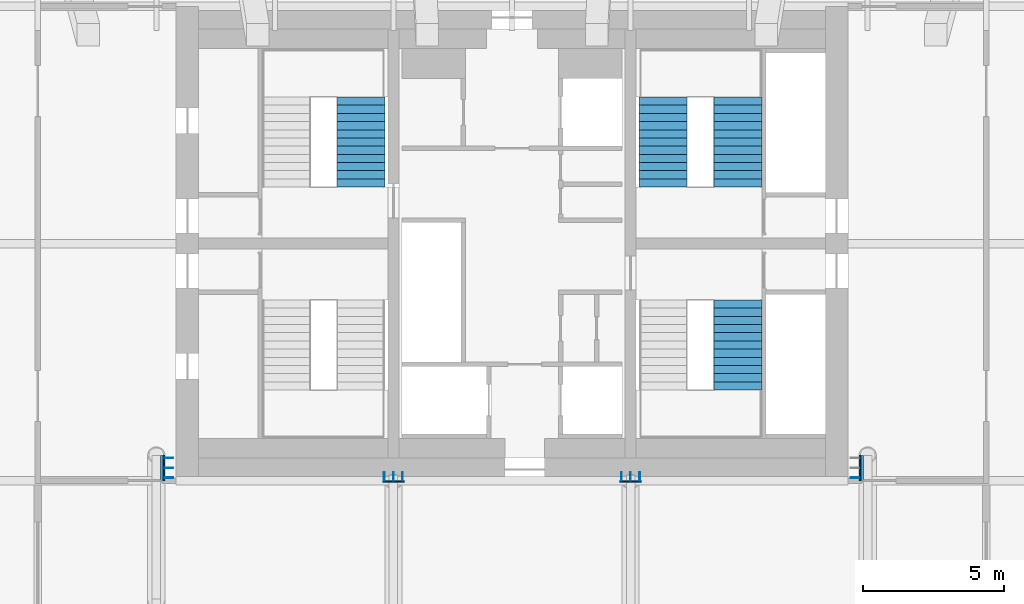
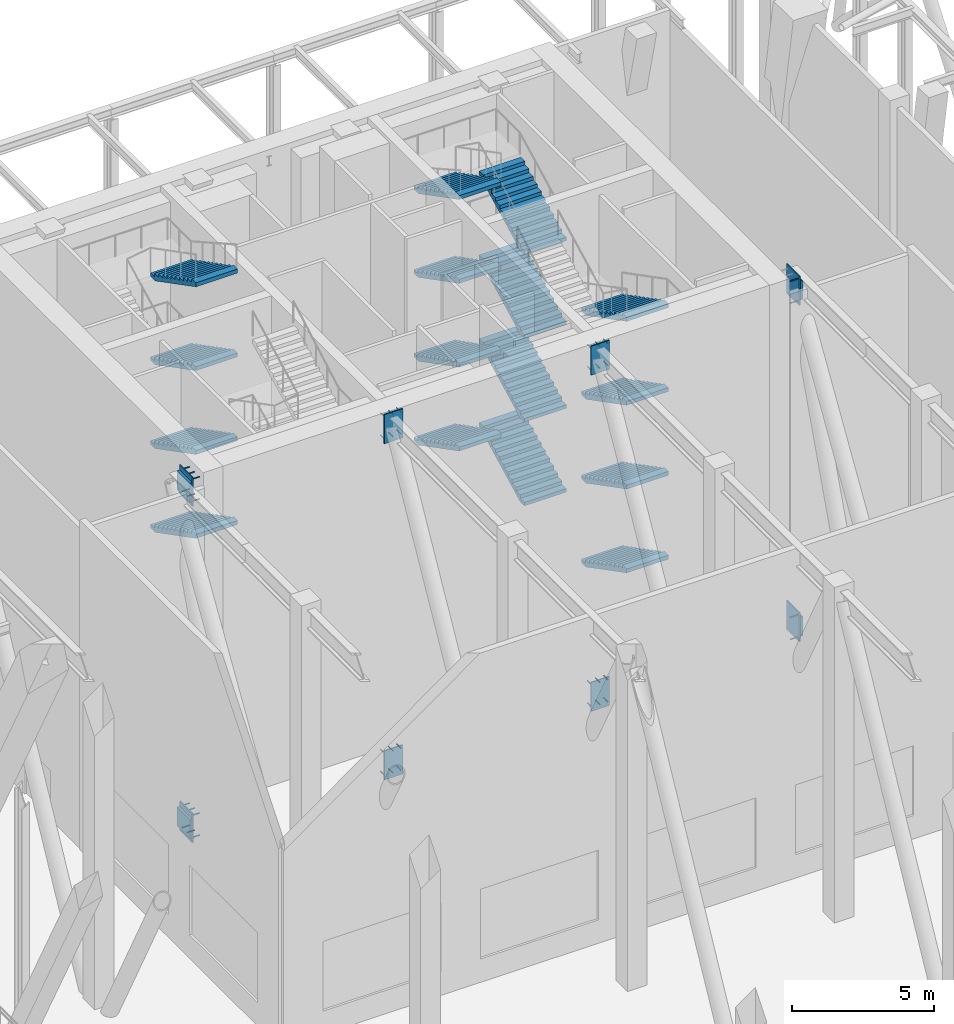
# One storey, part 13 of 20: 40 mechanical fasteners, 16 stair flights, 12 discrete accessories, 3 elements without a shape of their own.
"""IFC4 building model written with IfcOpenShell, lengths in metres."""

from ifc_helpers import new_model, si_unit, direction, frame, origin, origin_2d, place, context, subcontext, project, spatial, polyline, rectangle, outline, extrude, material, layer, layer_set, type_object, element, aggregate, save


model = new_model("IFC4")

# Units and contexts
model_context = context("Model", 3, precision=1e-05, world=origin(), true_north=direction((0.0, 1.0)))
body_context = subcontext(model_context, "Body", "Model", "MODEL_VIEW")
ifc_project = project(units=[si_unit("LENGTHUNIT", "METRE"), si_unit("AREAUNIT", "SQUARE_METRE"), si_unit("VOLUMEUNIT", "CUBIC_METRE"), si_unit("PLANEANGLEUNIT", "RADIAN"), si_unit("MASSUNIT", "GRAM", prefix="KILO")], contexts=[model_context])

# Site, building, storey
site_placement = place(None, origin())
site = spatial("IfcSite", under=ifc_project, at=site_placement, CompositionType="ELEMENT")
building_placement = place(site_placement, origin())
building = spatial("IfcBuilding", under=site, at=building_placement, Name="Marenta Gate Hotel Tower", CompositionType="ELEMENT")
storey_placement = place(building_placement, frame((0.0, 0.0, 252.5)))
storey = spatial("IfcBuildingStorey", under=building, at=storey_placement, Name="L60", CompositionType="ELEMENT", Elevation=252.5)

# Stair, stair flights
ifc_material_1 = material(Name="Concrete C40", Category="concrete")
stair_type = type_object("IfcStairType", Name="Core exit stair 1700 wide", PredefinedType="HALF_TURN_STAIR", material=ifc_material_1)
stair_1_placement = place(storey_placement, origin())
stair_1 = element("IfcStair", 1, at=stair_1_placement, inside=storey, type_object=stair_type, Name="Exit stair 2", PredefinedType="HALF_TURN_STAIR")
ifc_material_2 = material(Name="Concrete C40", Category="concrete")
stair_flight_type = type_object("IfcStairFlightType", Name="Core stair flight 1700 riser 150.0 going 290", PredefinedType="STRAIGHT", material=ifc_material_2)
stair_flight_1_placement = place(storey_placement, frame((-5.35009765625, 13.590087890625, 1.800048828125), z_axis=(0.0, 0.0, 1.0), x_axis=(0.0, -1.0, 0.0)))
stair_flight_1 = element("IfcStairFlight", 2, at=stair_flight_1_placement, type_object=stair_flight_type, Name="ST2 flight 2", NumberOfRisers=12, NumberOfTreads=11, PredefinedType="STRAIGHT", RiserHeight=0.15, TreadLength=0.29, context=body_context, shape_type="SweptSolid", body=[
    extrude(outline(polyline([(0.0, 0.0), (0.0, 0.14990234375), (0.2900390625, 0.14990234375), (0.2900390625, 0.300048828125), (0.580078125, 0.300048828125), (0.580078125, 0.449951171875), (0.8701171875, 0.449951171875), (0.8701171875, 0.60009765625), (1.159912109375, 0.60009765625), (1.159912109375, 0.75), (1.449951171875, 0.75), (1.449951171875, 0.89990234375), (1.739990234375, 0.89990234375), (1.739990234375, 1.050048828125), (2.030029296875, 1.050048828125), (2.030029296875, 1.199951171875), (2.320068359375, 1.199951171875), (2.320068359375, 1.35009765625), (2.610107421875, 1.35009765625), (2.610107421875, 1.5), (2.89990234375, 1.5), (2.89990234375, 1.64990234375), (3.18994140625, 1.64990234375), (3.18994140625, 1.800048828125), (3.18994140625, 1.481201171875), (0.326171875, 0.0), (0.0, 0.0)])), frame((0.0, 0.85009765625, 0.0), z_axis=(0.0, -1.0, 0.0), x_axis=(1.0, 0.0, 0.0)), (0.0, 0.0, 1.0), 1.699951171875),
])
stair_flight_2_placement = place(storey_placement, frame((-5.35009765625, 13.590087890625, 5.39990234375), z_axis=(0.0, 0.0, 1.0), x_axis=(0.0, -1.0, 0.0)))
stair_flight_2 = element("IfcStairFlight", 3, at=stair_flight_2_placement, type_object=stair_flight_type, Name="ST2 flight 4", NumberOfRisers=12, NumberOfTreads=11, PredefinedType="STRAIGHT", RiserHeight=0.15, TreadLength=0.29, context=body_context, shape_type="SweptSolid", body=[
    extrude(outline(polyline([(0.0, 0.0), (0.0, 0.14990234375), (0.2900390625, 0.14990234375), (0.2900390625, 0.300048828125), (0.580078125, 0.300048828125), (0.580078125, 0.449951171875), (0.8701171875, 0.449951171875), (0.8701171875, 0.60009765625), (1.159912109375, 0.60009765625), (1.159912109375, 0.75), (1.449951171875, 0.75), (1.449951171875, 0.89990234375), (1.739990234375, 0.89990234375), (1.739990234375, 1.050048828125), (2.030029296875, 1.050048828125), (2.030029296875, 1.199951171875), (2.320068359375, 1.199951171875), (2.320068359375, 1.35009765625), (2.610107421875, 1.35009765625), (2.610107421875, 1.5), (2.89990234375, 1.5), (2.89990234375, 1.64990234375), (3.18994140625, 1.64990234375), (3.18994140625, 1.800048828125), (3.18994140625, 1.481201171875), (0.326171875, 0.0), (0.0, 0.0)])), frame((0.0, 0.85009765625, 0.0), z_axis=(0.0, -1.0, 0.0), x_axis=(1.0, 0.0, 0.0)), (0.0, 0.0, 1.0), 1.699951171875),
])
stair_flight_3_placement = place(storey_placement, frame((-5.35009765625, 13.590087890625, 9.0), z_axis=(0.0, 0.0, 1.0), x_axis=(0.0, -1.0, 0.0)))
stair_flight_3 = element("IfcStairFlight", 4, at=stair_flight_3_placement, type_object=stair_flight_type, Name="ST2 flight 6", NumberOfRisers=12, NumberOfTreads=11, PredefinedType="STRAIGHT", RiserHeight=0.15, TreadLength=0.29, context=body_context, shape_type="SweptSolid", body=[
    extrude(outline(polyline([(0.0, 0.0), (0.0, 0.14990234375), (0.2900390625, 0.14990234375), (0.2900390625, 0.300048828125), (0.580078125, 0.300048828125), (0.580078125, 0.449951171875), (0.8701171875, 0.449951171875), (0.8701171875, 0.60009765625), (1.159912109375, 0.60009765625), (1.159912109375, 0.75), (1.449951171875, 0.75), (1.449951171875, 0.89990234375), (1.739990234375, 0.89990234375), (1.739990234375, 1.050048828125), (2.030029296875, 1.050048828125), (2.030029296875, 1.199951171875), (2.320068359375, 1.199951171875), (2.320068359375, 1.35009765625), (2.610107421875, 1.35009765625), (2.610107421875, 1.5), (2.89990234375, 1.5), (2.89990234375, 1.64990234375), (3.18994140625, 1.64990234375), (3.18994140625, 1.800048828125), (3.18994140625, 1.481201171875), (0.326171875, 0.0), (0.0, 0.0)])), frame((0.0, 0.85009765625, 0.0), z_axis=(0.0, -1.0, 0.0), x_axis=(1.0, 0.0, 0.0)), (0.0, 0.0, 1.0), 1.699951171875),
])
stair_flight_4_placement = place(storey_placement, frame((-5.35009765625, 13.590087890625, 12.60009765625), z_axis=(0.0, 0.0, 1.0), x_axis=(0.0, -1.0, 0.0)))
stair_flight_4 = element("IfcStairFlight", 5, at=stair_flight_4_placement, type_object=stair_flight_type, Name="ST2 flight 8", NumberOfRisers=12, NumberOfTreads=11, PredefinedType="STRAIGHT", RiserHeight=0.15, TreadLength=0.29, context=body_context, shape_type="SweptSolid", body=[
    extrude(outline(polyline([(0.0, 0.0), (0.0, 0.14990234375), (0.2900390625, 0.14990234375), (0.2900390625, 0.300048828125), (0.580078125, 0.300048828125), (0.580078125, 0.449951171875), (0.8701171875, 0.449951171875), (0.8701171875, 0.60009765625), (1.159912109375, 0.60009765625), (1.159912109375, 0.75), (1.449951171875, 0.75), (1.449951171875, 0.89990234375), (1.739990234375, 0.89990234375), (1.739990234375, 1.050048828125), (2.030029296875, 1.050048828125), (2.030029296875, 1.199951171875), (2.320068359375, 1.199951171875), (2.320068359375, 1.35009765625), (2.610107421875, 1.35009765625), (2.610107421875, 1.5), (2.89990234375, 1.5), (2.89990234375, 1.64990234375), (3.18994140625, 1.64990234375), (3.18994140625, 1.800048828125), (3.18994140625, 1.481201171875), (0.326171875, 0.0), (0.0, 0.0)])), frame((0.0, 0.85009765625, 0.0), z_axis=(0.0, -1.0, 0.0), x_axis=(1.0, 0.0, 0.0)), (0.0, 0.0, 1.0), 1.699951171875),
])
aggregate(stair_1, [stair_flight_1, stair_flight_2, stair_flight_3, stair_flight_4])

stair_2_placement = place(storey_placement, origin())
stair_2 = element("IfcStair", 6, at=stair_2_placement, inside=storey, type_object=stair_type, Name="Exit stair 3", PredefinedType="HALF_TURN_STAIR")
stair_flight_5_placement = place(storey_placement, frame((8.0, 6.39990234375, 0.0), z_axis=(0.0, 0.0, 1.0), x_axis=(0.0, -1.0, 0.0)))
stair_flight_5 = element("IfcStairFlight", 7, at=stair_flight_5_placement, type_object=stair_flight_type, Name="ST3 flight 1", NumberOfRisers=12, NumberOfTreads=11, PredefinedType="STRAIGHT", RiserHeight=0.15, TreadLength=0.29, context=body_context, shape_type="SweptSolid", body=[
    extrude(outline(polyline([(0.0, 0.0), (0.0, 0.14990234375), (0.2900390625, 0.14990234375), (0.2900390625, 0.300048828125), (0.580078125, 0.300048828125), (0.580078125, 0.449951171875), (0.8701171875, 0.449951171875), (0.8701171875, 0.60009765625), (1.159912109375, 0.60009765625), (1.159912109375, 0.75), (1.449951171875, 0.75), (1.449951171875, 0.89990234375), (1.739990234375, 0.89990234375), (1.739990234375, 1.050048828125), (2.030029296875, 1.050048828125), (2.030029296875, 1.199951171875), (2.320068359375, 1.199951171875), (2.320068359375, 1.35009765625), (2.610107421875, 1.35009765625), (2.610107421875, 1.5), (2.89990234375, 1.5), (2.89990234375, 1.64990234375), (3.18994140625, 1.64990234375), (3.18994140625, 1.800048828125), (3.18994140625, 1.481201171875), (0.326171875, 0.0), (0.0, 0.0)])), frame((0.0, 0.85009765625, 0.0), z_axis=(0.0, -1.0, 0.0), x_axis=(1.0, 0.0, 0.0)), (0.0, 0.0, 1.0), 1.699951171875),
])
stair_flight_6_placement = place(storey_placement, frame((8.0, 6.39990234375, 3.60009765625), z_axis=(0.0, 0.0, 1.0), x_axis=(0.0, -1.0, 0.0)))
stair_flight_6 = element("IfcStairFlight", 8, at=stair_flight_6_placement, type_object=stair_flight_type, Name="ST3 flight 3", NumberOfRisers=12, NumberOfTreads=11, PredefinedType="STRAIGHT", RiserHeight=0.15, TreadLength=0.29, context=body_context, shape_type="SweptSolid", body=[
    extrude(outline(polyline([(0.0, 0.0), (0.0, 0.14990234375), (0.2900390625, 0.14990234375), (0.2900390625, 0.300048828125), (0.580078125, 0.300048828125), (0.580078125, 0.449951171875), (0.8701171875, 0.449951171875), (0.8701171875, 0.60009765625), (1.159912109375, 0.60009765625), (1.159912109375, 0.75), (1.449951171875, 0.75), (1.449951171875, 0.89990234375), (1.739990234375, 0.89990234375), (1.739990234375, 1.050048828125), (2.030029296875, 1.050048828125), (2.030029296875, 1.199951171875), (2.320068359375, 1.199951171875), (2.320068359375, 1.35009765625), (2.610107421875, 1.35009765625), (2.610107421875, 1.5), (2.89990234375, 1.5), (2.89990234375, 1.64990234375), (3.18994140625, 1.64990234375), (3.18994140625, 1.800048828125), (3.18994140625, 1.481201171875), (0.326171875, 0.0), (0.0, 0.0)])), frame((0.0, 0.85009765625, 0.0), z_axis=(0.0, -1.0, 0.0), x_axis=(1.0, 0.0, 0.0)), (0.0, 0.0, 1.0), 1.699951171875),
])
stair_flight_7_placement = place(storey_placement, frame((8.0, 6.39990234375, 7.199951171875), z_axis=(0.0, 0.0, 1.0), x_axis=(0.0, -1.0, 0.0)))
stair_flight_7 = element("IfcStairFlight", 9, at=stair_flight_7_placement, type_object=stair_flight_type, Name="ST3 flight 5", NumberOfRisers=12, NumberOfTreads=11, PredefinedType="STRAIGHT", RiserHeight=0.15, TreadLength=0.29, context=body_context, shape_type="SweptSolid", body=[
    extrude(outline(polyline([(0.0, 0.0), (0.0, 0.14990234375), (0.2900390625, 0.14990234375), (0.2900390625, 0.300048828125), (0.580078125, 0.300048828125), (0.580078125, 0.449951171875), (0.8701171875, 0.449951171875), (0.8701171875, 0.60009765625), (1.159912109375, 0.60009765625), (1.159912109375, 0.75), (1.449951171875, 0.75), (1.449951171875, 0.89990234375), (1.739990234375, 0.89990234375), (1.739990234375, 1.050048828125), (2.030029296875, 1.050048828125), (2.030029296875, 1.199951171875), (2.320068359375, 1.199951171875), (2.320068359375, 1.35009765625), (2.610107421875, 1.35009765625), (2.610107421875, 1.5), (2.89990234375, 1.5), (2.89990234375, 1.64990234375), (3.18994140625, 1.64990234375), (3.18994140625, 1.800048828125), (3.18994140625, 1.481201171875), (0.326171875, 0.0), (0.0, 0.0)])), frame((0.0, 0.85009765625, 0.0), z_axis=(0.0, -1.0, 0.0), x_axis=(1.0, 0.0, 0.0)), (0.0, 0.0, 1.0), 1.699951171875),
])
stair_flight_8_placement = place(storey_placement, frame((8.0, 6.39990234375, 10.800048828125), z_axis=(0.0, 0.0, 1.0), x_axis=(0.0, -1.0, 0.0)))
stair_flight_8 = element("IfcStairFlight", 10, at=stair_flight_8_placement, type_object=stair_flight_type, Name="ST3 flight 7", NumberOfRisers=12, NumberOfTreads=11, PredefinedType="STRAIGHT", RiserHeight=0.15, TreadLength=0.29, context=body_context, shape_type="SweptSolid", body=[
    extrude(outline(polyline([(0.0, 0.0), (0.0, 0.14990234375), (0.2900390625, 0.14990234375), (0.2900390625, 0.300048828125), (0.580078125, 0.300048828125), (0.580078125, 0.449951171875), (0.8701171875, 0.449951171875), (0.8701171875, 0.60009765625), (1.159912109375, 0.60009765625), (1.159912109375, 0.75), (1.449951171875, 0.75), (1.449951171875, 0.89990234375), (1.739990234375, 0.89990234375), (1.739990234375, 1.050048828125), (2.030029296875, 1.050048828125), (2.030029296875, 1.199951171875), (2.320068359375, 1.199951171875), (2.320068359375, 1.35009765625), (2.610107421875, 1.35009765625), (2.610107421875, 1.5), (2.89990234375, 1.5), (2.89990234375, 1.64990234375), (3.18994140625, 1.64990234375), (3.18994140625, 1.800048828125), (3.18994140625, 1.481201171875), (0.326171875, 0.0), (0.0, 0.0)])), frame((0.0, 0.85009765625, 0.0), z_axis=(0.0, -1.0, 0.0), x_axis=(1.0, 0.0, 0.0)), (0.0, 0.0, 1.0), 1.699951171875),
])
aggregate(stair_2, [stair_flight_5, stair_flight_6, stair_flight_7, stair_flight_8])

stair_3_placement = place(storey_placement, origin())
stair_3 = element("IfcStair", 11, at=stair_3_placement, inside=storey, type_object=stair_type, Name="Exit stair 4", PredefinedType="HALF_TURN_STAIR")
stair_flight_9_placement = place(storey_placement, frame((8.0, 10.39990234375, 0.0), z_axis=(0.0, 0.0, 1.0), x_axis=(0.0, 1.0, 0.0)))
stair_flight_9 = element("IfcStairFlight", 12, at=stair_flight_9_placement, type_object=stair_flight_type, Name="ST4 flight 1", NumberOfRisers=12, NumberOfTreads=11, PredefinedType="STRAIGHT", RiserHeight=0.15, TreadLength=0.29, context=body_context, shape_type="SweptSolid", body=[
    extrude(outline(polyline([(0.0, 0.0), (0.0, 0.14990234375), (0.2900390625, 0.14990234375), (0.2900390625, 0.300048828125), (0.580078125, 0.300048828125), (0.580078125, 0.449951171875), (0.8701171875, 0.449951171875), (0.8701171875, 0.60009765625), (1.159912109375, 0.60009765625), (1.159912109375, 0.75), (1.449951171875, 0.75), (1.449951171875, 0.89990234375), (1.739990234375, 0.89990234375), (1.739990234375, 1.050048828125), (2.030029296875, 1.050048828125), (2.030029296875, 1.199951171875), (2.320068359375, 1.199951171875), (2.320068359375, 1.35009765625), (2.610107421875, 1.35009765625), (2.610107421875, 1.5), (2.89990234375, 1.5), (2.89990234375, 1.64990234375), (3.18994140625, 1.64990234375), (3.18994140625, 1.800048828125), (3.18994140625, 1.481201171875), (0.326171875, 0.0), (0.0, 0.0)])), frame((0.0, 0.85009765625, 0.0), z_axis=(0.0, -1.0, 0.0), x_axis=(1.0, 0.0, 0.0)), (0.0, 0.0, 1.0), 1.699951171875),
])
stair_flight_10_placement = place(storey_placement, frame((5.35009765625, 13.590087890625, 1.800048828125), z_axis=(0.0, 0.0, 1.0), x_axis=(0.0, -1.0, 0.0)))
stair_flight_10 = element("IfcStairFlight", 13, at=stair_flight_10_placement, type_object=stair_flight_type, Name="ST4 flight 2", NumberOfRisers=12, NumberOfTreads=11, PredefinedType="STRAIGHT", RiserHeight=0.15, TreadLength=0.29, context=body_context, shape_type="SweptSolid", body=[
    extrude(outline(polyline([(0.0, 0.0), (0.0, 0.14990234375), (0.2900390625, 0.14990234375), (0.2900390625, 0.300048828125), (0.580078125, 0.300048828125), (0.580078125, 0.449951171875), (0.8701171875, 0.449951171875), (0.8701171875, 0.60009765625), (1.159912109375, 0.60009765625), (1.159912109375, 0.75), (1.449951171875, 0.75), (1.449951171875, 0.89990234375), (1.739990234375, 0.89990234375), (1.739990234375, 1.050048828125), (2.030029296875, 1.050048828125), (2.030029296875, 1.199951171875), (2.320068359375, 1.199951171875), (2.320068359375, 1.35009765625), (2.610107421875, 1.35009765625), (2.610107421875, 1.5), (2.89990234375, 1.5), (2.89990234375, 1.64990234375), (3.18994140625, 1.64990234375), (3.18994140625, 1.800048828125), (3.18994140625, 1.481201171875), (0.326171875, 0.0), (0.0, 0.0)])), frame((0.0, 0.85009765625, 0.0), z_axis=(0.0, -1.0, 0.0), x_axis=(1.0, 0.0, 0.0)), (0.0, 0.0, 1.0), 1.699951171875),
])
stair_flight_11_placement = place(storey_placement, frame((8.0, 10.39990234375, 3.60009765625), z_axis=(0.0, 0.0, 1.0), x_axis=(0.0, 1.0, 0.0)))
stair_flight_11 = element("IfcStairFlight", 14, at=stair_flight_11_placement, type_object=stair_flight_type, Name="ST4 flight 3", NumberOfRisers=12, NumberOfTreads=11, PredefinedType="STRAIGHT", RiserHeight=0.15, TreadLength=0.29, context=body_context, shape_type="SweptSolid", body=[
    extrude(outline(polyline([(0.0, 0.0), (0.0, 0.14990234375), (0.2900390625, 0.14990234375), (0.2900390625, 0.300048828125), (0.580078125, 0.300048828125), (0.580078125, 0.449951171875), (0.8701171875, 0.449951171875), (0.8701171875, 0.60009765625), (1.159912109375, 0.60009765625), (1.159912109375, 0.75), (1.449951171875, 0.75), (1.449951171875, 0.89990234375), (1.739990234375, 0.89990234375), (1.739990234375, 1.050048828125), (2.030029296875, 1.050048828125), (2.030029296875, 1.199951171875), (2.320068359375, 1.199951171875), (2.320068359375, 1.35009765625), (2.610107421875, 1.35009765625), (2.610107421875, 1.5), (2.89990234375, 1.5), (2.89990234375, 1.64990234375), (3.18994140625, 1.64990234375), (3.18994140625, 1.800048828125), (3.18994140625, 1.481201171875), (0.326171875, 0.0), (0.0, 0.0)])), frame((0.0, 0.85009765625, 0.0), z_axis=(0.0, -1.0, 0.0), x_axis=(1.0, 0.0, 0.0)), (0.0, 0.0, 1.0), 1.699951171875),
])
stair_flight_12_placement = place(storey_placement, frame((5.35009765625, 13.590087890625, 5.39990234375), z_axis=(0.0, 0.0, 1.0), x_axis=(0.0, -1.0, 0.0)))
stair_flight_12 = element("IfcStairFlight", 15, at=stair_flight_12_placement, type_object=stair_flight_type, Name="ST4 flight 4", NumberOfRisers=12, NumberOfTreads=11, PredefinedType="STRAIGHT", RiserHeight=0.15, TreadLength=0.29, context=body_context, shape_type="SweptSolid", body=[
    extrude(outline(polyline([(0.0, 0.0), (0.0, 0.14990234375), (0.2900390625, 0.14990234375), (0.2900390625, 0.300048828125), (0.580078125, 0.300048828125), (0.580078125, 0.449951171875), (0.8701171875, 0.449951171875), (0.8701171875, 0.60009765625), (1.159912109375, 0.60009765625), (1.159912109375, 0.75), (1.449951171875, 0.75), (1.449951171875, 0.89990234375), (1.739990234375, 0.89990234375), (1.739990234375, 1.050048828125), (2.030029296875, 1.050048828125), (2.030029296875, 1.199951171875), (2.320068359375, 1.199951171875), (2.320068359375, 1.35009765625), (2.610107421875, 1.35009765625), (2.610107421875, 1.5), (2.89990234375, 1.5), (2.89990234375, 1.64990234375), (3.18994140625, 1.64990234375), (3.18994140625, 1.800048828125), (3.18994140625, 1.481201171875), (0.326171875, 0.0), (0.0, 0.0)])), frame((0.0, 0.85009765625, 0.0), z_axis=(0.0, -1.0, 0.0), x_axis=(1.0, 0.0, 0.0)), (0.0, 0.0, 1.0), 1.699951171875),
])
stair_flight_13_placement = place(storey_placement, frame((8.0, 10.39990234375, 7.199951171875), z_axis=(0.0, 0.0, 1.0), x_axis=(0.0, 1.0, 0.0)))
stair_flight_13 = element("IfcStairFlight", 16, at=stair_flight_13_placement, type_object=stair_flight_type, Name="ST4 flight 5", NumberOfRisers=12, NumberOfTreads=11, PredefinedType="STRAIGHT", RiserHeight=0.15, TreadLength=0.29, context=body_context, shape_type="SweptSolid", body=[
    extrude(outline(polyline([(0.0, 0.0), (0.0, 0.14990234375), (0.2900390625, 0.14990234375), (0.2900390625, 0.300048828125), (0.580078125, 0.300048828125), (0.580078125, 0.449951171875), (0.8701171875, 0.449951171875), (0.8701171875, 0.60009765625), (1.159912109375, 0.60009765625), (1.159912109375, 0.75), (1.449951171875, 0.75), (1.449951171875, 0.89990234375), (1.739990234375, 0.89990234375), (1.739990234375, 1.050048828125), (2.030029296875, 1.050048828125), (2.030029296875, 1.199951171875), (2.320068359375, 1.199951171875), (2.320068359375, 1.35009765625), (2.610107421875, 1.35009765625), (2.610107421875, 1.5), (2.89990234375, 1.5), (2.89990234375, 1.64990234375), (3.18994140625, 1.64990234375), (3.18994140625, 1.800048828125), (3.18994140625, 1.481201171875), (0.326171875, 0.0), (0.0, 0.0)])), frame((0.0, 0.85009765625, 0.0), z_axis=(0.0, -1.0, 0.0), x_axis=(1.0, 0.0, 0.0)), (0.0, 0.0, 1.0), 1.699951171875),
])
stair_flight_14_placement = place(storey_placement, frame((5.35009765625, 13.590087890625, 9.0), z_axis=(0.0, 0.0, 1.0), x_axis=(0.0, -1.0, 0.0)))
stair_flight_14 = element("IfcStairFlight", 17, at=stair_flight_14_placement, type_object=stair_flight_type, Name="ST4 flight 6", NumberOfRisers=12, NumberOfTreads=11, PredefinedType="STRAIGHT", RiserHeight=0.15, TreadLength=0.29, context=body_context, shape_type="SweptSolid", body=[
    extrude(outline(polyline([(0.0, 0.0), (0.0, 0.14990234375), (0.2900390625, 0.14990234375), (0.2900390625, 0.300048828125), (0.580078125, 0.300048828125), (0.580078125, 0.449951171875), (0.8701171875, 0.449951171875), (0.8701171875, 0.60009765625), (1.159912109375, 0.60009765625), (1.159912109375, 0.75), (1.449951171875, 0.75), (1.449951171875, 0.89990234375), (1.739990234375, 0.89990234375), (1.739990234375, 1.050048828125), (2.030029296875, 1.050048828125), (2.030029296875, 1.199951171875), (2.320068359375, 1.199951171875), (2.320068359375, 1.35009765625), (2.610107421875, 1.35009765625), (2.610107421875, 1.5), (2.89990234375, 1.5), (2.89990234375, 1.64990234375), (3.18994140625, 1.64990234375), (3.18994140625, 1.800048828125), (3.18994140625, 1.481201171875), (0.326171875, 0.0), (0.0, 0.0)])), frame((0.0, 0.85009765625, 0.0), z_axis=(0.0, -1.0, 0.0), x_axis=(1.0, 0.0, 0.0)), (0.0, 0.0, 1.0), 1.699951171875),
])
stair_flight_15_placement = place(storey_placement, frame((8.0, 10.39990234375, 10.800048828125), z_axis=(0.0, 0.0, 1.0), x_axis=(0.0, 1.0, 0.0)))
stair_flight_15 = element("IfcStairFlight", 18, at=stair_flight_15_placement, type_object=stair_flight_type, Name="ST4 flight 7", NumberOfRisers=12, NumberOfTreads=11, PredefinedType="STRAIGHT", RiserHeight=0.15, TreadLength=0.29, context=body_context, shape_type="SweptSolid", body=[
    extrude(outline(polyline([(0.0, 0.0), (0.0, 0.14990234375), (0.2900390625, 0.14990234375), (0.2900390625, 0.300048828125), (0.580078125, 0.300048828125), (0.580078125, 0.449951171875), (0.8701171875, 0.449951171875), (0.8701171875, 0.60009765625), (1.159912109375, 0.60009765625), (1.159912109375, 0.75), (1.449951171875, 0.75), (1.449951171875, 0.89990234375), (1.739990234375, 0.89990234375), (1.739990234375, 1.050048828125), (2.030029296875, 1.050048828125), (2.030029296875, 1.199951171875), (2.320068359375, 1.199951171875), (2.320068359375, 1.35009765625), (2.610107421875, 1.35009765625), (2.610107421875, 1.5), (2.89990234375, 1.5), (2.89990234375, 1.64990234375), (3.18994140625, 1.64990234375), (3.18994140625, 1.800048828125), (3.18994140625, 1.481201171875), (0.326171875, 0.0), (0.0, 0.0)])), frame((0.0, 0.85009765625, 0.0), z_axis=(0.0, -1.0, 0.0), x_axis=(1.0, 0.0, 0.0)), (0.0, 0.0, 1.0), 1.699951171875),
])
stair_flight_16_placement = place(storey_placement, frame((5.35009765625, 13.590087890625, 12.60009765625), z_axis=(0.0, 0.0, 1.0), x_axis=(0.0, -1.0, 0.0)))
stair_flight_16 = element("IfcStairFlight", 19, at=stair_flight_16_placement, type_object=stair_flight_type, Name="ST4 flight 8", NumberOfRisers=12, NumberOfTreads=11, PredefinedType="STRAIGHT", RiserHeight=0.15, TreadLength=0.29, context=body_context, shape_type="SweptSolid", body=[
    extrude(outline(polyline([(0.0, 0.0), (0.0, 0.14990234375), (0.2900390625, 0.14990234375), (0.2900390625, 0.300048828125), (0.580078125, 0.300048828125), (0.580078125, 0.449951171875), (0.8701171875, 0.449951171875), (0.8701171875, 0.60009765625), (1.159912109375, 0.60009765625), (1.159912109375, 0.75), (1.449951171875, 0.75), (1.449951171875, 0.89990234375), (1.739990234375, 0.89990234375), (1.739990234375, 1.050048828125), (2.030029296875, 1.050048828125), (2.030029296875, 1.199951171875), (2.320068359375, 1.199951171875), (2.320068359375, 1.35009765625), (2.610107421875, 1.35009765625), (2.610107421875, 1.5), (2.89990234375, 1.5), (2.89990234375, 1.64990234375), (3.18994140625, 1.64990234375), (3.18994140625, 1.800048828125), (3.18994140625, 1.481201171875), (0.326171875, 0.0), (0.0, 0.0)])), frame((0.0, 0.85009765625, 0.0), z_axis=(0.0, -1.0, 0.0), x_axis=(1.0, 0.0, 0.0)), (0.0, 0.0, 1.0), 1.699951171875),
])
aggregate(stair_3, [stair_flight_9, stair_flight_10, stair_flight_11, stair_flight_12, stair_flight_13, stair_flight_14, stair_flight_15, stair_flight_16])

# Discrete accessories
ifc_material_3 = material(Name="Steel S355", Category="steel")
ifc_layer_1 = layer(ifc_material_3, 0.050048828125)
ifc_layer_set_1 = layer_set([ifc_layer_1], Name="Steel S355")
discrete_accessory_type_1 = type_object("IfcDiscreteAccessoryType", Name="Embed plate 750 x 1250 x 50", PredefinedType="ANCHORPLATE", material=ifc_layer_set_1)
for number, where, z_axis, x_axis, name in (
    (20, (-4.199951171875, -0.02490234375, -1.33203125), (0.0, 0.0, 1.0), (1.0, 0.0, 0.0), "EP1 Embed plate CN-L60-6B"),
    (21, (-4.199951171875, -0.02490234375, 13.10791015625), (0.0, 0.0, 1.0), (1.0, 0.0, 0.0), "EP1 Embed plate CN-L60-6T"),
    (22, (4.199951171875, -0.02490234375, -1.33203125), (0.0, 0.0, 1.0), (1.0, 0.0, 0.0), "EP1 Embed plate CN-L60-7B"),
    (23, (4.199951171875, -0.02490234375, 13.10791015625), (0.0, 0.0, 1.0), (1.0, 0.0, 0.0), "EP1 Embed plate CN-L60-7T"),
):
    element("IfcDiscreteAccessory", number, at=place(storey_placement, frame(where, z_axis=z_axis, x_axis=x_axis)), inside=storey, type_object=discrete_accessory_type_1, Name=name, PredefinedType="ANCHORPLATE", context=body_context, shape_type="SweptSolid", body=[
        extrude(rectangle(XDim=0.75, YDim=0.050048828125, at=origin_2d()), origin(), (0.0, 0.0, 1.0), 1.25),
    ])
ifc_material_4 = material(Name="Steel S355", Category="steel")
ifc_layer_2 = layer(ifc_material_4, 0.050048828125)
ifc_layer_set_2 = layer_set([ifc_layer_2], Name="Steel S355")
discrete_accessory_type_2 = type_object("IfcDiscreteAccessoryType", Name="Embed plate 900 x 1250 x 50", PredefinedType="ANCHORPLATE", material=ifc_layer_set_2)
for number, where, z_axis, x_axis, name in (
    (24, (-12.324951171875, 0.449951171875, -1.33203125), (0.0, 0.0, 1.0), (1.0, 0.0, 0.0), "EP1 Embed plate CN-L60-5B"),
    (25, (-12.324951171875, 0.449951171875, 13.10791015625), (0.0, 0.0, 1.0), (1.0, 0.0, 0.0), "EP1 Embed plate CN-L60-5T"),
    (26, (12.324951171875, 0.449951171875, -1.33203125), (0.0, 0.0, 1.0), (1.0, 0.0, 0.0), "EP1 Embed plate CN-L60-8B"),
    (27, (12.324951171875, 0.449951171875, 13.10791015625), (0.0, 0.0, 1.0), (1.0, 0.0, 0.0), "EP1 Embed plate CN-L60-8T"),
):
    element("IfcDiscreteAccessory", number, at=place(storey_placement, frame(where, z_axis=z_axis, x_axis=x_axis)), inside=storey, type_object=discrete_accessory_type_2, Name=name, PredefinedType="ANCHORPLATE", context=body_context, shape_type="SweptSolid", body=[
        extrude(rectangle(XDim=0.050048828125, YDim=0.89990234375, at=origin_2d()), origin(), (0.0, 0.0, 1.0), 1.25),
    ])

# Mechanical fasteners
ifc_material_5 = material(Name="Steel S355", Category="steel")
mechanical_fastener_type = type_object("IfcMechanicalFastenerType", Name="Headed anchor stud 25 x 300", PredefinedType="ANCHORBOLT", material=ifc_material_5)
for number, where, z_axis, x_axis, name in (
    (28, (-12.14990234375, 0.10009765625, -1.1943359375), (0.0, 0.0, 1.0), (1.0, 0.0, 0.0), "AS1 Anchor stud CN-L60-5B-A1"),
    (29, (-12.14990234375, 0.449951171875, -1.1943359375), (0.0, 0.0, 1.0), (1.0, 0.0, 0.0), "AS1 Anchor stud CN-L60-5B-A2"),
    (30, (-12.14990234375, 0.800048828125, -1.1943359375), (0.0, 0.0, 1.0), (1.0, 0.0, 0.0), "AS1 Anchor stud CN-L60-5B-A3"),
    (31, (-12.14990234375, 0.10009765625, -0.244384765625), (0.0, 0.0, 1.0), (1.0, 0.0, 0.0), "AS1 Anchor stud CN-L60-5B-A4"),
    (32, (-12.14990234375, 0.449951171875, -0.244384765625), (0.0, 0.0, 1.0), (1.0, 0.0, 0.0), "AS1 Anchor stud CN-L60-5B-A5"),
    (33, (-12.14990234375, 0.800048828125, -0.244384765625), (0.0, 0.0, 1.0), (1.0, 0.0, 0.0), "AS1 Anchor stud CN-L60-5B-A6"),
    (34, (-12.14990234375, 0.10009765625, 13.24560546875), (0.0, 0.0, 1.0), (1.0, 0.0, 0.0), "AS1 Anchor stud CN-L60-5T-A1"),
    (35, (-12.14990234375, 0.449951171875, 13.24560546875), (0.0, 0.0, 1.0), (1.0, 0.0, 0.0), "AS1 Anchor stud CN-L60-5T-A2"),
    (36, (-12.14990234375, 0.800048828125, 13.24560546875), (0.0, 0.0, 1.0), (1.0, 0.0, 0.0), "AS1 Anchor stud CN-L60-5T-A3"),
    (37, (-12.14990234375, 0.10009765625, 14.195556640625), (0.0, 0.0, 1.0), (1.0, 0.0, 0.0), "AS1 Anchor stud CN-L60-5T-A4"),
    (38, (-12.14990234375, 0.449951171875, 14.195556640625), (0.0, 0.0, 1.0), (1.0, 0.0, 0.0), "AS1 Anchor stud CN-L60-5T-A5"),
    (39, (-12.14990234375, 0.800048828125, 14.195556640625), (0.0, 0.0, 1.0), (1.0, 0.0, 0.0), "AS1 Anchor stud CN-L60-5T-A6"),
):
    element("IfcMechanicalFastener", number, at=place(storey_placement, frame(where, z_axis=z_axis, x_axis=x_axis)), inside=storey, type_object=mechanical_fastener_type, Name=name, PredefinedType="ANCHORBOLT", context=body_context, shape_type="SweptSolid", body=[
        extrude(rectangle(XDim=0.300048828125, YDim=0.02490234375, at=origin_2d()), origin(), (0.0, 0.0, 1.0), 0.02490234375),
    ])
for number, where, z_axis, x_axis, name in (
    (40, (-4.52490234375, 0.14990234375, -1.1943359375), (0.0, 0.0, 1.0), (1.0, 0.0, 0.0), "AS1 Anchor stud CN-L60-6B-A1"),
    (41, (-4.199951171875, 0.14990234375, -1.1943359375), (0.0, 0.0, 1.0), (1.0, 0.0, 0.0), "AS1 Anchor stud CN-L60-6B-A2"),
    (42, (-3.875, 0.14990234375, -1.1943359375), (0.0, 0.0, 1.0), (1.0, 0.0, 0.0), "AS1 Anchor stud CN-L60-6B-A3"),
    (43, (-4.52490234375, 0.14990234375, -0.244384765625), (0.0, 0.0, 1.0), (1.0, 0.0, 0.0), "AS1 Anchor stud CN-L60-6B-A4"),
    (44, (-4.199951171875, 0.14990234375, -0.244384765625), (0.0, 0.0, 1.0), (1.0, 0.0, 0.0), "AS1 Anchor stud CN-L60-6B-A5"),
    (45, (-3.875, 0.14990234375, -0.244384765625), (0.0, 0.0, 1.0), (1.0, 0.0, 0.0), "AS1 Anchor stud CN-L60-6B-A6"),
    (46, (-4.52490234375, 0.14990234375, 13.24560546875), (0.0, 0.0, 1.0), (1.0, 0.0, 0.0), "AS1 Anchor stud CN-L60-6T-A1"),
    (47, (-4.199951171875, 0.14990234375, 13.24560546875), (0.0, 0.0, 1.0), (1.0, 0.0, 0.0), "AS1 Anchor stud CN-L60-6T-A2"),
    (48, (-3.875, 0.14990234375, 13.24560546875), (0.0, 0.0, 1.0), (1.0, 0.0, 0.0), "AS1 Anchor stud CN-L60-6T-A3"),
    (49, (-4.52490234375, 0.14990234375, 14.195556640625), (0.0, 0.0, 1.0), (1.0, 0.0, 0.0), "AS1 Anchor stud CN-L60-6T-A4"),
    (50, (-4.199951171875, 0.14990234375, 14.195556640625), (0.0, 0.0, 1.0), (1.0, 0.0, 0.0), "AS1 Anchor stud CN-L60-6T-A5"),
    (51, (-3.875, 0.14990234375, 14.195556640625), (0.0, 0.0, 1.0), (1.0, 0.0, 0.0), "AS1 Anchor stud CN-L60-6T-A6"),
    (52, (3.875, 0.14990234375, -1.1943359375), (0.0, 0.0, 1.0), (1.0, 0.0, 0.0), "AS1 Anchor stud CN-L60-7B-A1"),
    (53, (4.199951171875, 0.14990234375, -1.1943359375), (0.0, 0.0, 1.0), (1.0, 0.0, 0.0), "AS1 Anchor stud CN-L60-7B-A2"),
    (54, (4.52490234375, 0.14990234375, -1.1943359375), (0.0, 0.0, 1.0), (1.0, 0.0, 0.0), "AS1 Anchor stud CN-L60-7B-A3"),
    (55, (3.875, 0.14990234375, -0.244384765625), (0.0, 0.0, 1.0), (1.0, 0.0, 0.0), "AS1 Anchor stud CN-L60-7B-A4"),
    (56, (4.199951171875, 0.14990234375, -0.244384765625), (0.0, 0.0, 1.0), (1.0, 0.0, 0.0), "AS1 Anchor stud CN-L60-7B-A5"),
    (57, (4.52490234375, 0.14990234375, -0.244384765625), (0.0, 0.0, 1.0), (1.0, 0.0, 0.0), "AS1 Anchor stud CN-L60-7B-A6"),
    (58, (3.875, 0.14990234375, 13.24560546875), (0.0, 0.0, 1.0), (1.0, 0.0, 0.0), "AS1 Anchor stud CN-L60-7T-A1"),
    (59, (4.199951171875, 0.14990234375, 13.24560546875), (0.0, 0.0, 1.0), (1.0, 0.0, 0.0), "AS1 Anchor stud CN-L60-7T-A2"),
    (60, (4.52490234375, 0.14990234375, 13.24560546875), (0.0, 0.0, 1.0), (1.0, 0.0, 0.0), "AS1 Anchor stud CN-L60-7T-A3"),
    (61, (3.875, 0.14990234375, 14.195556640625), (0.0, 0.0, 1.0), (1.0, 0.0, 0.0), "AS1 Anchor stud CN-L60-7T-A4"),
    (62, (4.199951171875, 0.14990234375, 14.195556640625), (0.0, 0.0, 1.0), (1.0, 0.0, 0.0), "AS1 Anchor stud CN-L60-7T-A5"),
    (63, (4.52490234375, 0.14990234375, 14.195556640625), (0.0, 0.0, 1.0), (1.0, 0.0, 0.0), "AS1 Anchor stud CN-L60-7T-A6"),
):
    element("IfcMechanicalFastener", number, at=place(storey_placement, frame(where, z_axis=z_axis, x_axis=x_axis)), inside=storey, type_object=mechanical_fastener_type, Name=name, PredefinedType="ANCHORBOLT", context=body_context, shape_type="SweptSolid", body=[
        extrude(rectangle(XDim=0.02490234375, YDim=0.300048828125, at=origin_2d()), origin(), (0.0, 0.0, 1.0), 0.02490234375),
    ])
for number, where, z_axis, x_axis, name in (
    (64, (12.14990234375, 0.10009765625, -1.1943359375), (0.0, 0.0, 1.0), (1.0, 0.0, 0.0), "AS1 Anchor stud CN-L60-8B-A1"),
    (65, (12.14990234375, 0.10009765625, -0.244384765625), (0.0, 0.0, 1.0), (1.0, 0.0, 0.0), "AS1 Anchor stud CN-L60-8B-A4"),
    (66, (12.14990234375, 0.10009765625, 13.24560546875), (0.0, 0.0, 1.0), (1.0, 0.0, 0.0), "AS1 Anchor stud CN-L60-8T-A1"),
    (67, (12.14990234375, 0.10009765625, 14.195556640625), (0.0, 0.0, 1.0), (1.0, 0.0, 0.0), "AS1 Anchor stud CN-L60-8T-A4"),
):
    element("IfcMechanicalFastener", number, at=place(storey_placement, frame(where, z_axis=z_axis, x_axis=x_axis)), inside=storey, type_object=mechanical_fastener_type, Name=name, PredefinedType="ANCHORBOLT", context=body_context, shape_type="SweptSolid", body=[
        extrude(rectangle(XDim=0.300048828125, YDim=0.02490234375, at=origin_2d()), origin(), (0.0, 0.0, 1.0), 0.02490234375),
    ])

# Discrete accessories
ifc_material_6 = material(Name="Steel S355", Category="steel")
ifc_layer_3 = layer(ifc_material_6, 0.098388671875)
ifc_layer_set_3 = layer_set([ifc_layer_3], Name="Steel S355")
discrete_accessory_type_3 = type_object("IfcDiscreteAccessoryType", Name="Packer plate 98 thick", PredefinedType="ANCHORPLATE", material=ifc_layer_set_3)
for number, where, z_axis, x_axis, name in (
    (68, (-12.3994140625, 0.449951171875, -1.114013671875), (0.0, 0.0, 1.0), (1.0, 0.0, 0.0), "PK1 Packer plate CN-L60-5B-K"),
    (69, (-12.3994140625, 0.449951171875, 13.325927734375), (0.0, 0.0, 1.0), (1.0, 0.0, 0.0), "PK1 Packer plate CN-L60-5T-K"),
    (70, (12.3994140625, 0.449951171875, -1.114013671875), (0.0, 0.0, 1.0), (1.0, 0.0, 0.0), "PK1 Packer plate CN-L60-8B-K"),
    (71, (12.3994140625, 0.449951171875, 13.325927734375), (0.0, 0.0, 1.0), (1.0, 0.0, 0.0), "PK1 Packer plate CN-L60-8T-K"),
):
    element("IfcDiscreteAccessory", number, at=place(storey_placement, frame(where, z_axis=z_axis, x_axis=x_axis)), inside=storey, type_object=discrete_accessory_type_3, Name=name, PredefinedType="ANCHORPLATE", context=body_context, shape_type="SweptSolid", body=[
        extrude(rectangle(XDim=0.098388671875, YDim=0.89990234375, at=origin_2d()), origin(), (0.0, 0.0, 1.0), 0.81396484375),
    ])

save(model, "model.ifc")
